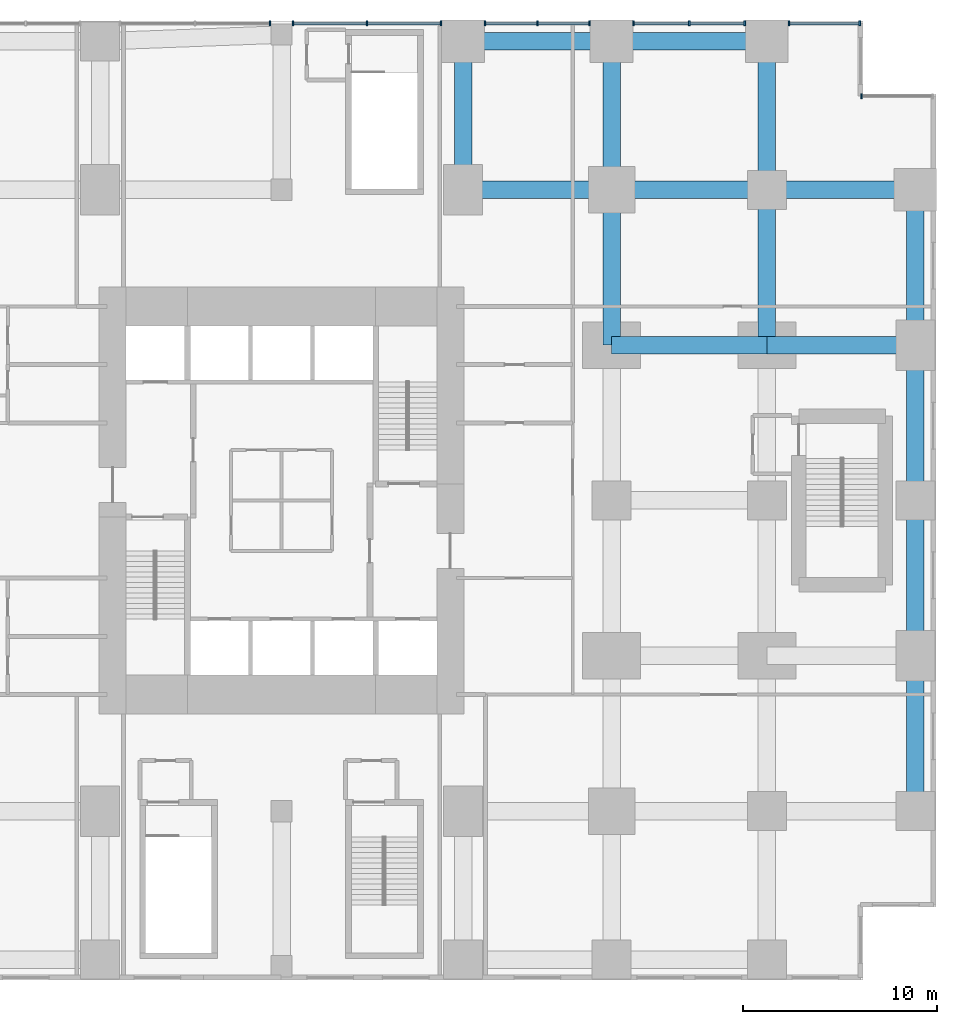
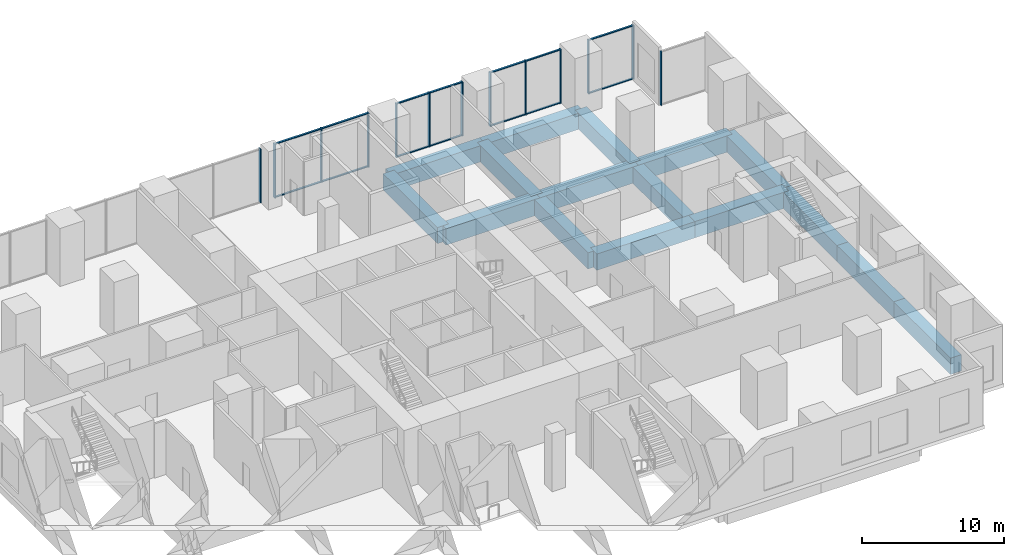
# One storey, part 3 of 11: 27 members, 16 beams, 6 elements without a shape of their own.
"""IFC4 building model written with IfcOpenShell, lengths in metres."""

from ifc_helpers import new_model, si_unit, direction, frame, origin, origin_2d, place, context, subcontext, project, spatial, rectangle, extrude, material, layer, layer_set, material_profile, profile_set, type_object, element, aggregate, save


model = new_model("IFC4")

# Units and contexts
model_context = context("Model", 3, precision=1e-05, world=origin(), true_north=direction((0.0, 1.0)))
body_context = subcontext(model_context, "Body", "Model", "MODEL_VIEW")
ifc_project = project(units=[si_unit("LENGTHUNIT", "METRE"), si_unit("AREAUNIT", "SQUARE_METRE"), si_unit("VOLUMEUNIT", "CUBIC_METRE"), si_unit("PLANEANGLEUNIT", "RADIAN"), si_unit("MASSUNIT", "GRAM", prefix="KILO")], contexts=[model_context])

# Site, building, storey
site_placement = place(None, origin())
site = spatial("IfcSite", under=ifc_project, at=site_placement, CompositionType="ELEMENT")
building_placement = place(site_placement, origin())
building = spatial("IfcBuilding", under=site, at=building_placement, Name="Cleftline Residences", CompositionType="ELEMENT")
storey_placement = place(building_placement, frame((0.0, 0.0, 21.0)))
storey = spatial("IfcBuildingStorey", under=building, at=storey_placement, Name="L04", CompositionType="ELEMENT", Elevation=21.0)

# Beams
ifc_material_1 = material(Name="Concrete B45", Category="concrete")
ifc_material_profile_1 = material_profile(ifc_material_1, rectangle(XDim=0.89990234375, YDim=1.39990234375, at=origin_2d()))
ifc_profile_set_1 = profile_set([ifc_material_profile_1], Name="Concrete B45")
beam_type = type_object("IfcBeamType", Name="BEAM RC900X1400", PredefinedType="BEAM", material=ifc_profile_set_1)
beam_1_placement = place(storey_placement, frame((50.0, 32.0, -1.0), z_axis=(1.0, 0.0, 0.0), x_axis=(0.0, 1.0, 0.0)))
element("IfcBeam", 1, at=beam_1_placement, inside=storey, type_object=beam_type, Name="Podium beam", PredefinedType="BEAM", context=body_context, shape_type="SweptSolid", body=[
    extrude(rectangle(XDim=0.89990234375, YDim=1.39990234375, at=origin_2d()), origin(), (0.0, 0.0, 1.0), 8.0),
])
for number, where, z_axis, x_axis, name in (
    (2, (58.0, 32.0, -1.0), (1.0, 0.0, 0.0), (0.0, 1.0, 0.0), "Podium beam"),
    (3, (42.35009765625, 40.0, -1.0), (1.0, 0.0, 0.0), (0.0, 1.0, 0.0), "Podium beam"),
):
    element("IfcBeam", number, at=place(storey_placement, frame(where, z_axis=z_axis, x_axis=x_axis)), inside=storey, type_object=beam_type, Name=name, PredefinedType="BEAM", context=body_context, shape_type="SweptSolid", body=[
        extrude(rectangle(XDim=0.89990234375, YDim=1.39990234375, at=origin_2d()), origin(), (0.0, 0.0, 1.0), 7.64990234375),
    ])
beam_2_placement = place(storey_placement, frame((50.0, 40.0, -1.0), z_axis=(1.0, 0.0, 0.0), x_axis=(0.0, 1.0, 0.0)))
element("IfcBeam", 4, at=beam_2_placement, inside=storey, type_object=beam_type, Name="Podium beam", PredefinedType="BEAM", context=body_context, shape_type="SweptSolid", body=[
    extrude(rectangle(XDim=0.89990234375, YDim=1.39990234375, at=origin_2d()), origin(), (0.0, 0.0, 1.0), 8.0),
])
for number, where, z_axis, x_axis, name in (
    (5, (58.0, 40.0, -1.0), (1.0, 0.0, 0.0), (0.0, 1.0, 0.0), "Podium beam"),
    (6, (42.35009765625, 47.64990234375, -1.0), (1.0, 0.0, 0.0), (0.0, 1.0, 0.0), "Podium beam"),
):
    element("IfcBeam", number, at=place(storey_placement, frame(where, z_axis=z_axis, x_axis=x_axis)), inside=storey, type_object=beam_type, Name=name, PredefinedType="BEAM", context=body_context, shape_type="SweptSolid", body=[
        extrude(rectangle(XDim=0.89990234375, YDim=1.39990234375, at=origin_2d()), origin(), (0.0, 0.0, 1.0), 7.64990234375),
    ])
beam_3_placement = place(storey_placement, frame((50.0, 47.64990234375, -1.0), z_axis=(1.0, 0.0, 0.0), x_axis=(0.0, 1.0, 0.0)))
element("IfcBeam", 7, at=beam_3_placement, inside=storey, type_object=beam_type, Name="Podium beam", PredefinedType="BEAM", context=body_context, shape_type="SweptSolid", body=[
    extrude(rectangle(XDim=0.89990234375, YDim=1.39990234375, at=origin_2d()), origin(), (0.0, 0.0, 1.0), 8.0),
])
beam_4_placement = place(storey_placement, frame((42.35009765625, 40.0, -1.0), z_axis=(0.0, 1.0, 0.0), x_axis=(-1.0, 0.0, 0.0)))
element("IfcBeam", 8, at=beam_4_placement, inside=storey, type_object=beam_type, Name="Podium beam", PredefinedType="BEAM", context=body_context, shape_type="SweptSolid", body=[
    extrude(rectangle(XDim=0.89990234375, YDim=1.39990234375, at=origin_2d()), origin(), (0.0, 0.0, 1.0), 7.64990234375),
])
beam_5_placement = place(storey_placement, frame((50.0, 32.0, -1.0), z_axis=(0.0, 1.0, 0.0), x_axis=(-1.0, 0.0, 0.0)))
element("IfcBeam", 9, at=beam_5_placement, inside=storey, type_object=beam_type, Name="Podium beam", PredefinedType="BEAM", context=body_context, shape_type="SweptSolid", body=[
    extrude(rectangle(XDim=0.89990234375, YDim=1.39990234375, at=origin_2d()), origin(), (0.0, 0.0, 1.0), 8.0),
])
beam_6_placement = place(storey_placement, frame((50.0, 40.0, -1.0), z_axis=(0.0, 1.0, 0.0), x_axis=(-1.0, 0.0, 0.0)))
element("IfcBeam", 10, at=beam_6_placement, inside=storey, type_object=beam_type, Name="Podium beam", PredefinedType="BEAM", context=body_context, shape_type="SweptSolid", body=[
    extrude(rectangle(XDim=0.89990234375, YDim=1.39990234375, at=origin_2d()), origin(), (0.0, 0.0, 1.0), 7.64990234375),
])
beam_7_placement = place(storey_placement, frame((58.0, 32.0, -1.0), z_axis=(0.0, 1.0, 0.0), x_axis=(-1.0, 0.0, 0.0)))
element("IfcBeam", 11, at=beam_7_placement, inside=storey, type_object=beam_type, Name="Podium beam", PredefinedType="BEAM", context=body_context, shape_type="SweptSolid", body=[
    extrude(rectangle(XDim=0.89990234375, YDim=1.39990234375, at=origin_2d()), origin(), (0.0, 0.0, 1.0), 8.0),
])
beam_8_placement = place(storey_placement, frame((58.0, 40.0, -1.0), z_axis=(0.0, 1.0, 0.0), x_axis=(-1.0, 0.0, 0.0)))
element("IfcBeam", 12, at=beam_8_placement, inside=storey, type_object=beam_type, Name="Podium beam", PredefinedType="BEAM", context=body_context, shape_type="SweptSolid", body=[
    extrude(rectangle(XDim=0.89990234375, YDim=1.39990234375, at=origin_2d()), origin(), (0.0, 0.0, 1.0), 7.64990234375),
])
for number, where, z_axis, x_axis, name in (
    (13, (65.64990234375, 8.0, -1.0), (0.0, 1.0, 0.0), (-1.0, 0.0, 0.0), "Podium beam"),
    (14, (65.64990234375, 16.0, -1.0), (0.0, 1.0, 0.0), (-1.0, 0.0, 0.0), "Podium beam"),
    (15, (65.64990234375, 24.0, -1.0), (0.0, 1.0, 0.0), (-1.0, 0.0, 0.0), "Podium beam"),
    (16, (65.64990234375, 32.0, -1.0), (0.0, 1.0, 0.0), (-1.0, 0.0, 0.0), "Podium beam"),
):
    element("IfcBeam", number, at=place(storey_placement, frame(where, z_axis=z_axis, x_axis=x_axis)), inside=storey, type_object=beam_type, Name=name, PredefinedType="BEAM", context=body_context, shape_type="SweptSolid", body=[
        extrude(rectangle(XDim=0.89990234375, YDim=1.39990234375, at=origin_2d()), origin(), (0.0, 0.0, 1.0), 8.0),
    ])

# Curtain wall, member
ifc_material_2 = material(Name="Aluminium framed curtain wall", Category="aluminium")
ifc_layer = layer(ifc_material_2, 0.199951171875)
ifc_layer_set = layer_set([ifc_layer], Name="CW2 PODIUM GLAZING")
curtain_wall_type = type_object("IfcCurtainWallType", Name="CW2 PODIUM GLAZING", PredefinedType="NOTDEFINED", material=ifc_layer_set)
curtain_wall_1_placement = place(storey_placement, origin())
curtain_wall_1 = element("IfcCurtainWall", 17, at=curtain_wall_1_placement, inside=storey, type_object=curtain_wall_type, Name="Curtain wall CW2", PredefinedType="NOTDEFINED")
ifc_material_3 = material(Name="Aluminium mullion", Category="aluminium")
ifc_material_profile_2 = material_profile(ifc_material_3, rectangle(XDim=0.25, YDim=0.080078125, at=origin_2d()))
ifc_profile_set_2 = profile_set([ifc_material_profile_2], Name="Aluminium mullion")
member_type_1 = type_object("IfcMemberType", Name="CW2 MULLION", PredefinedType="MULLION", material=ifc_profile_set_2)
member_1_placement = place(storey_placement, frame((62.864990234375, 44.824951171875, 0.0), z_axis=(0.0, 0.0, 1.0), x_axis=(0.0, -1.0, 0.0)))
member_1 = element("IfcMember", 18, at=member_1_placement, type_object=member_type_1, Name="CW2 mullion 2", PredefinedType="MULLION", context=body_context, shape_type="SweptSolid", body=[
    extrude(rectangle(XDim=0.25, YDim=0.080078125, at=origin_2d()), origin(), (0.0, 0.0, 1.0), 4.64990234375),
])
aggregate(curtain_wall_1, [member_1])

# Curtain wall, members
curtain_wall_2_placement = place(storey_placement, origin())
curtain_wall_2 = element("IfcCurtainWall", 19, at=curtain_wall_2_placement, inside=storey, type_object=curtain_wall_type, Name="Curtain wall CW2", PredefinedType="NOTDEFINED")
member_2_placement = place(storey_placement, frame((62.784912109375, 48.574951171875, 0.0), z_axis=(0.0, 0.0, 1.0), x_axis=(0.0, -1.0, 0.0)))
member_2 = element("IfcMember", 20, at=member_2_placement, type_object=member_type_1, Name="CW2 mullion 1", PredefinedType="MULLION", context=body_context, shape_type="SweptSolid", body=[
    extrude(rectangle(XDim=0.25, YDim=0.080078125, at=origin_2d()), origin(), (0.0, 0.0, 1.0), 4.64990234375),
])
member_3_placement = place(storey_placement, frame((59.139892578125, 48.574951171875, 0.0), z_axis=(0.0, 0.0, 1.0), x_axis=(0.0, -1.0, 0.0)))
member_3 = element("IfcMember", 21, at=member_3_placement, type_object=member_type_1, Name="CW2 mullion 2", PredefinedType="MULLION", context=body_context, shape_type="SweptSolid", body=[
    extrude(rectangle(XDim=0.25, YDim=0.080078125, at=origin_2d()), origin(), (0.0, 0.0, 1.0), 4.64990234375),
])

curtain_wall_3_placement = place(storey_placement, origin())
curtain_wall_3 = element("IfcCurtainWall", 22, at=curtain_wall_3_placement, inside=storey, type_object=curtain_wall_type, Name="Curtain wall CW2", PredefinedType="NOTDEFINED")
member_4_placement = place(storey_placement, frame((56.860107421875, 48.574951171875, 0.0), z_axis=(0.0, 0.0, 1.0), x_axis=(0.0, -1.0, 0.0)))
member_4 = element("IfcMember", 23, at=member_4_placement, type_object=member_type_1, Name="CW2 mullion 1", PredefinedType="MULLION", context=body_context, shape_type="SweptSolid", body=[
    extrude(rectangle(XDim=0.25, YDim=0.080078125, at=origin_2d()), origin(), (0.0, 0.0, 1.0), 4.64990234375),
])
member_5_placement = place(storey_placement, frame((54.0, 48.574951171875, 0.0), z_axis=(0.0, 0.0, 1.0), x_axis=(0.0, -1.0, 0.0)))
member_5 = element("IfcMember", 24, at=member_5_placement, type_object=member_type_1, Name="CW2 mullion 2", PredefinedType="MULLION", context=body_context, shape_type="SweptSolid", body=[
    extrude(rectangle(XDim=0.25, YDim=0.080078125, at=origin_2d()), origin(), (0.0, 0.0, 1.0), 4.64990234375),
])
member_6_placement = place(storey_placement, frame((51.139892578125, 48.574951171875, 0.0), z_axis=(0.0, 0.0, 1.0), x_axis=(0.0, -1.0, 0.0)))
member_6 = element("IfcMember", 25, at=member_6_placement, type_object=member_type_1, Name="CW2 mullion 3", PredefinedType="MULLION", context=body_context, shape_type="SweptSolid", body=[
    extrude(rectangle(XDim=0.25, YDim=0.080078125, at=origin_2d()), origin(), (0.0, 0.0, 1.0), 4.64990234375),
])

curtain_wall_4_placement = place(storey_placement, origin())
curtain_wall_4 = element("IfcCurtainWall", 26, at=curtain_wall_4_placement, inside=storey, type_object=curtain_wall_type, Name="Curtain wall CW2", PredefinedType="NOTDEFINED")
member_7_placement = place(storey_placement, frame((48.860107421875, 48.574951171875, 0.0), z_axis=(0.0, 0.0, 1.0), x_axis=(0.0, -1.0, 0.0)))
member_7 = element("IfcMember", 27, at=member_7_placement, type_object=member_type_1, Name="CW2 mullion 1", PredefinedType="MULLION", context=body_context, shape_type="SweptSolid", body=[
    extrude(rectangle(XDim=0.25, YDim=0.080078125, at=origin_2d()), origin(), (0.0, 0.0, 1.0), 4.64990234375),
])
member_8_placement = place(storey_placement, frame((46.175048828125, 48.574951171875, 0.0), z_axis=(0.0, 0.0, 1.0), x_axis=(0.0, -1.0, 0.0)))
member_8 = element("IfcMember", 28, at=member_8_placement, type_object=member_type_1, Name="CW2 mullion 2", PredefinedType="MULLION", context=body_context, shape_type="SweptSolid", body=[
    extrude(rectangle(XDim=0.25, YDim=0.080078125, at=origin_2d()), origin(), (0.0, 0.0, 1.0), 4.64990234375),
])
member_9_placement = place(storey_placement, frame((43.489990234375, 48.574951171875, 0.0), z_axis=(0.0, 0.0, 1.0), x_axis=(0.0, -1.0, 0.0)))
member_9 = element("IfcMember", 29, at=member_9_placement, type_object=member_type_1, Name="CW2 mullion 3", PredefinedType="MULLION", context=body_context, shape_type="SweptSolid", body=[
    extrude(rectangle(XDim=0.25, YDim=0.080078125, at=origin_2d()), origin(), (0.0, 0.0, 1.0), 4.64990234375),
])

curtain_wall_5_placement = place(storey_placement, origin())
curtain_wall_5 = element("IfcCurtainWall", 30, at=curtain_wall_5_placement, inside=storey, type_object=curtain_wall_type, Name="Curtain wall CW2", PredefinedType="NOTDEFINED")
member_10_placement = place(storey_placement, frame((41.2099609375, 48.574951171875, 0.0), z_axis=(0.0, 0.0, 1.0), x_axis=(0.0, -1.0, 0.0)))
member_10 = element("IfcMember", 31, at=member_10_placement, type_object=member_type_1, Name="CW2 mullion 1", PredefinedType="MULLION", context=body_context, shape_type="SweptSolid", body=[
    extrude(rectangle(XDim=0.25, YDim=0.080078125, at=origin_2d()), origin(), (0.0, 0.0, 1.0), 4.64990234375),
])
member_11_placement = place(storey_placement, frame((37.39990234375, 48.574951171875, 0.0), z_axis=(0.0, 0.0, 1.0), x_axis=(0.0, -1.0, 0.0)))
member_11 = element("IfcMember", 32, at=member_11_placement, type_object=member_type_1, Name="CW2 mullion 2", PredefinedType="MULLION", context=body_context, shape_type="SweptSolid", body=[
    extrude(rectangle(XDim=0.25, YDim=0.080078125, at=origin_2d()), origin(), (0.0, 0.0, 1.0), 4.64990234375),
])
member_12_placement = place(storey_placement, frame((33.590087890625, 48.574951171875, 0.0), z_axis=(0.0, 0.0, 1.0), x_axis=(0.0, -1.0, 0.0)))
member_12 = element("IfcMember", 33, at=member_12_placement, type_object=member_type_1, Name="CW2 mullion 3", PredefinedType="MULLION", context=body_context, shape_type="SweptSolid", body=[
    extrude(rectangle(XDim=0.25, YDim=0.080078125, at=origin_2d()), origin(), (0.0, 0.0, 1.0), 4.64990234375),
])

# Curtain wall, member
curtain_wall_6_placement = place(storey_placement, origin())
curtain_wall_6 = element("IfcCurtainWall", 34, at=curtain_wall_6_placement, inside=storey, type_object=curtain_wall_type, Name="Curtain wall CW2", PredefinedType="NOTDEFINED")
member_13_placement = place(storey_placement, frame((32.409912109375, 48.574951171875, 0.0), z_axis=(0.0, 0.0, 1.0), x_axis=(0.0, -1.0, 0.0)))
member_13 = element("IfcMember", 35, at=member_13_placement, type_object=member_type_1, Name="CW2 mullion 1", PredefinedType="MULLION", context=body_context, shape_type="SweptSolid", body=[
    extrude(rectangle(XDim=0.25, YDim=0.080078125, at=origin_2d()), origin(), (0.0, 0.0, 1.0), 4.64990234375),
])
aggregate(curtain_wall_6, [member_13])

# Member
ifc_material_4 = material(Name="Aluminium transom", Category="aluminium")
ifc_material_profile_3 = material_profile(ifc_material_4, rectangle(XDim=0.14990234375, YDim=0.080078125, at=origin_2d()))
ifc_profile_set_3 = profile_set([ifc_material_profile_3], Name="Aluminium transom")
member_type_2 = type_object("IfcMemberType", Name="CW2 TRANSOM", PredefinedType="USERDEFINED", material=ifc_profile_set_3)
member_14_placement = place(storey_placement, frame((62.7451171875, 48.574951171875, 0.0400390625), z_axis=(-1.0, 0.0, 0.0), x_axis=(0.0, -1.0, 0.0)))
member_14 = element("IfcMember", 36, at=member_14_placement, type_object=member_type_2, Name="CW2 transom 1.1", ObjectType="TRANSOM", PredefinedType="USERDEFINED", context=body_context, shape_type="SweptSolid", body=[
    extrude(rectangle(XDim=0.14990234375, YDim=0.080078125, at=origin_2d()), origin(), (0.0, 0.0, 1.0), 3.565185546875),
])

member_15_placement = place(storey_placement, frame((62.7451171875, 48.574951171875, 4.610107421875), z_axis=(-1.0, 0.0, 0.0), x_axis=(0.0, -1.0, 0.0)))
member_15 = element("IfcMember", 37, at=member_15_placement, type_object=member_type_2, Name="CW2 transom 1.2", ObjectType="TRANSOM", PredefinedType="USERDEFINED", context=body_context, shape_type="SweptSolid", body=[
    extrude(rectangle(XDim=0.14990234375, YDim=0.080078125, at=origin_2d()), origin(), (0.0, 0.0, 1.0), 3.565185546875),
])

aggregate(curtain_wall_2, [member_2, member_3, member_14, member_15])

member_16_placement = place(storey_placement, frame((56.820068359375, 48.574951171875, 0.0400390625), z_axis=(-1.0, 0.0, 0.0), x_axis=(0.0, -1.0, 0.0)))
member_16 = element("IfcMember", 38, at=member_16_placement, type_object=member_type_2, Name="CW2 transom 1.1", ObjectType="TRANSOM", PredefinedType="USERDEFINED", context=body_context, shape_type="SweptSolid", body=[
    extrude(rectangle(XDim=0.14990234375, YDim=0.080078125, at=origin_2d()), origin(), (0.0, 0.0, 1.0), 2.780029296875),
])

member_17_placement = place(storey_placement, frame((56.820068359375, 48.574951171875, 4.610107421875), z_axis=(-1.0, 0.0, 0.0), x_axis=(0.0, -1.0, 0.0)))
member_17 = element("IfcMember", 39, at=member_17_placement, type_object=member_type_2, Name="CW2 transom 1.2", ObjectType="TRANSOM", PredefinedType="USERDEFINED", context=body_context, shape_type="SweptSolid", body=[
    extrude(rectangle(XDim=0.14990234375, YDim=0.080078125, at=origin_2d()), origin(), (0.0, 0.0, 1.0), 2.780029296875),
])

member_18_placement = place(storey_placement, frame((53.9599609375, 48.574951171875, 0.0400390625), z_axis=(-1.0, 0.0, 0.0), x_axis=(0.0, -1.0, 0.0)))
member_18 = element("IfcMember", 40, at=member_18_placement, type_object=member_type_2, Name="CW2 transom 2.1", ObjectType="TRANSOM", PredefinedType="USERDEFINED", context=body_context, shape_type="SweptSolid", body=[
    extrude(rectangle(XDim=0.14990234375, YDim=0.080078125, at=origin_2d()), origin(), (0.0, 0.0, 1.0), 2.780029296875),
])

member_19_placement = place(storey_placement, frame((53.9599609375, 48.574951171875, 4.610107421875), z_axis=(-1.0, 0.0, 0.0), x_axis=(0.0, -1.0, 0.0)))
member_19 = element("IfcMember", 41, at=member_19_placement, type_object=member_type_2, Name="CW2 transom 2.2", ObjectType="TRANSOM", PredefinedType="USERDEFINED", context=body_context, shape_type="SweptSolid", body=[
    extrude(rectangle(XDim=0.14990234375, YDim=0.080078125, at=origin_2d()), origin(), (0.0, 0.0, 1.0), 2.780029296875),
])

aggregate(curtain_wall_3, [member_4, member_5, member_6, member_16, member_17, member_18, member_19])

member_20_placement = place(storey_placement, frame((48.820068359375, 48.574951171875, 0.0400390625), z_axis=(-1.0, 0.0, 0.0), x_axis=(0.0, -1.0, 0.0)))
member_20 = element("IfcMember", 42, at=member_20_placement, type_object=member_type_2, Name="CW2 transom 1.1", ObjectType="TRANSOM", PredefinedType="USERDEFINED", context=body_context, shape_type="SweptSolid", body=[
    extrude(rectangle(XDim=0.14990234375, YDim=0.080078125, at=origin_2d()), origin(), (0.0, 0.0, 1.0), 2.60498046875),
])

member_21_placement = place(storey_placement, frame((48.820068359375, 48.574951171875, 4.610107421875), z_axis=(-1.0, 0.0, 0.0), x_axis=(0.0, -1.0, 0.0)))
member_21 = element("IfcMember", 43, at=member_21_placement, type_object=member_type_2, Name="CW2 transom 1.2", ObjectType="TRANSOM", PredefinedType="USERDEFINED", context=body_context, shape_type="SweptSolid", body=[
    extrude(rectangle(XDim=0.14990234375, YDim=0.080078125, at=origin_2d()), origin(), (0.0, 0.0, 1.0), 2.60498046875),
])

member_22_placement = place(storey_placement, frame((46.135009765625, 48.574951171875, 0.0400390625), z_axis=(-1.0, 0.0, 0.0), x_axis=(0.0, -1.0, 0.0)))
member_22 = element("IfcMember", 44, at=member_22_placement, type_object=member_type_2, Name="CW2 transom 2.1", ObjectType="TRANSOM", PredefinedType="USERDEFINED", context=body_context, shape_type="SweptSolid", body=[
    extrude(rectangle(XDim=0.14990234375, YDim=0.080078125, at=origin_2d()), origin(), (0.0, 0.0, 1.0), 2.60498046875),
])

member_23_placement = place(storey_placement, frame((46.135009765625, 48.574951171875, 4.610107421875), z_axis=(-1.0, 0.0, 0.0), x_axis=(0.0, -1.0, 0.0)))
member_23 = element("IfcMember", 45, at=member_23_placement, type_object=member_type_2, Name="CW2 transom 2.2", ObjectType="TRANSOM", PredefinedType="USERDEFINED", context=body_context, shape_type="SweptSolid", body=[
    extrude(rectangle(XDim=0.14990234375, YDim=0.080078125, at=origin_2d()), origin(), (0.0, 0.0, 1.0), 2.60498046875),
])

aggregate(curtain_wall_4, [member_7, member_8, member_9, member_20, member_21, member_22, member_23])

member_24_placement = place(storey_placement, frame((41.169921875, 48.574951171875, 0.0400390625), z_axis=(-1.0, 0.0, 0.0), x_axis=(0.0, -1.0, 0.0)))
member_24 = element("IfcMember", 46, at=member_24_placement, type_object=member_type_2, Name="CW2 transom 1.1", ObjectType="TRANSOM", PredefinedType="USERDEFINED", context=body_context, shape_type="SweptSolid", body=[
    extrude(rectangle(XDim=0.14990234375, YDim=0.080078125, at=origin_2d()), origin(), (0.0, 0.0, 1.0), 3.72998046875),
])

member_25_placement = place(storey_placement, frame((41.169921875, 48.574951171875, 4.610107421875), z_axis=(-1.0, 0.0, 0.0), x_axis=(0.0, -1.0, 0.0)))
member_25 = element("IfcMember", 47, at=member_25_placement, type_object=member_type_2, Name="CW2 transom 1.2", ObjectType="TRANSOM", PredefinedType="USERDEFINED", context=body_context, shape_type="SweptSolid", body=[
    extrude(rectangle(XDim=0.14990234375, YDim=0.080078125, at=origin_2d()), origin(), (0.0, 0.0, 1.0), 3.72998046875),
])

member_26_placement = place(storey_placement, frame((37.360107421875, 48.574951171875, 0.0400390625), z_axis=(-1.0, 0.0, 0.0), x_axis=(0.0, -1.0, 0.0)))
member_26 = element("IfcMember", 48, at=member_26_placement, type_object=member_type_2, Name="CW2 transom 2.1", ObjectType="TRANSOM", PredefinedType="USERDEFINED", context=body_context, shape_type="SweptSolid", body=[
    extrude(rectangle(XDim=0.14990234375, YDim=0.080078125, at=origin_2d()), origin(), (0.0, 0.0, 1.0), 3.730224609375),
])

member_27_placement = place(storey_placement, frame((37.360107421875, 48.574951171875, 4.610107421875), z_axis=(-1.0, 0.0, 0.0), x_axis=(0.0, -1.0, 0.0)))
member_27 = element("IfcMember", 49, at=member_27_placement, type_object=member_type_2, Name="CW2 transom 2.2", ObjectType="TRANSOM", PredefinedType="USERDEFINED", context=body_context, shape_type="SweptSolid", body=[
    extrude(rectangle(XDim=0.14990234375, YDim=0.080078125, at=origin_2d()), origin(), (0.0, 0.0, 1.0), 3.730224609375),
])

aggregate(curtain_wall_5, [member_10, member_11, member_12, member_24, member_25, member_26, member_27])

save(model, "model.ifc")
